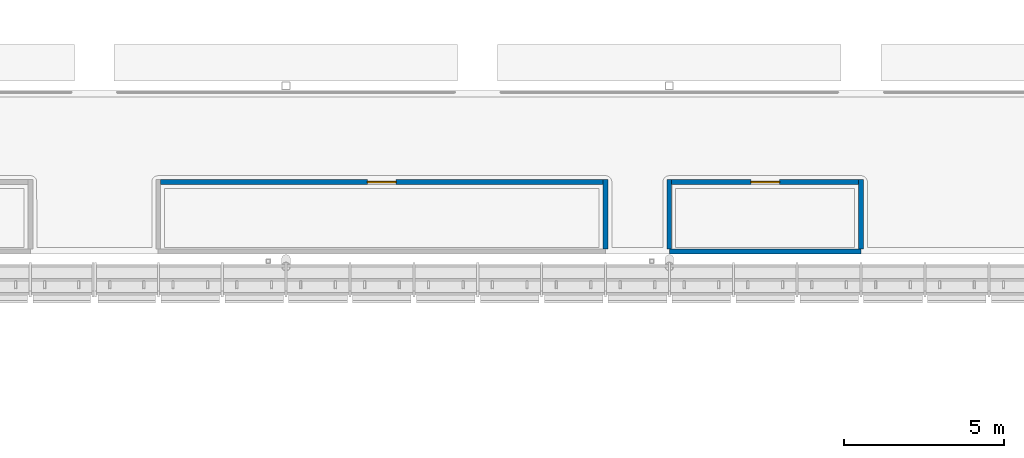
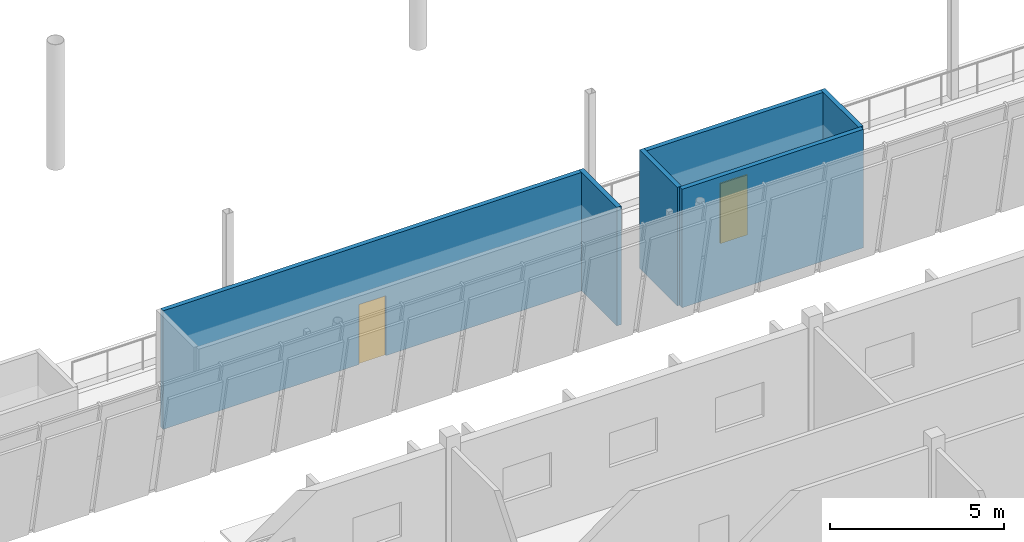
# One storey, part 69 of 115: 6 walls, 2 doors, 2 openings.
"""IFC4 building model written with IfcOpenShell, lengths in metres."""

from ifc_helpers import new_model, si_unit, direction, frame, frame_2d, origin, place, context, subcontext, project, spatial, rectangle, extrude, material, layer, layer_set, type_object, element, fill, save


model = new_model("IFC4")

# Units and contexts
model_context = context("Model", 3, precision=1e-05, world=origin(), true_north=direction((0.0, 1.0)))
body_context = subcontext(model_context, "Body", "Model", "MODEL_VIEW")
ifc_project = project(units=[si_unit("LENGTHUNIT", "METRE"), si_unit("AREAUNIT", "SQUARE_METRE"), si_unit("VOLUMEUNIT", "CUBIC_METRE"), si_unit("PLANEANGLEUNIT", "RADIAN"), si_unit("MASSUNIT", "GRAM", prefix="KILO")], contexts=[model_context])

# Site, building, storey
site_placement = place(None, origin())
site = spatial("IfcSite", under=ifc_project, at=site_placement, CompositionType="ELEMENT")
building_placement = place(site_placement, origin())
building = spatial("IfcBuilding", under=site, at=building_placement, Name="Windward Yard Aquatics Centre", CompositionType="ELEMENT")
storey_placement = place(building_placement, frame((0.0, 0.0, 5.0)))
storey = spatial("IfcBuildingStorey", under=building, at=storey_placement, Name="L01", CompositionType="ELEMENT", Elevation=5.0)

# Wall, opening, door
ifc_material_1 = material(Name="Blockwork 150 mm", Category="masonry")
ifc_layer = layer(ifc_material_1, 0.14990234375)
ifc_layer_set = layer_set([ifc_layer], Name="H Partition Blockwork 150")
wall_type = type_object("IfcWallType", Name="H Partition Blockwork 150", PredefinedType="PARTITIONING", material=ifc_layer_set)
wall_1_placement = place(storey_placement, frame((104.074951171875, 28.699951171875, 0.0), z_axis=(0.0, 0.0, 1.0), x_axis=(1.0, 0.0, 0.0)))
wall_1 = element("IfcWall", 1, at=wall_1_placement, inside=storey, type_object=wall_type, Name="L01 partition Cafe Counter", PredefinedType="PARTITIONING", context=body_context, shape_type="SweptSolid", body=[
    extrude(rectangle(XDim=13.85009765625, YDim=0.14990234375, at=frame_2d((6.925048828125, 0.0))), origin(), (0.0, 0.0, 1.0), 4.14990234375),
])
opening_1_placement = place(wall_1_placement, frame((6.47509765625, 0.0, 0.0)))
opening_1 = element("IfcOpeningElement", 2, at=opening_1_placement, cuts=wall_1, Name="Opening H1029", PredefinedType="OPENING", context=body_context, shape_type="SweptSolid", body=[
    extrude(rectangle(XDim=0.89990234375, YDim=2.10009765625, at=frame_2d((0.449951171875, 1.050048828125))), frame((0.0, 0.0849609375, 0.0), z_axis=(0.0, -1.0, 0.0), x_axis=(1.0, 0.0, 0.0)), (0.0, 0.0, 1.0), 0.169921875),
])
ifc_material_2 = material(Name="Timber door leaf", Category="wood")
door_type = type_object("IfcDoorType", Name="H Door Single 900 x 2100 Not rated", OperationType="NOTDEFINED", PredefinedType="DOOR", material=ifc_material_2)
door_1_placement = place(opening_1_placement, origin())
door_1 = element("IfcDoor", 3, at=door_1_placement, inside=storey, type_object=door_type, Name="L01 Cafe Counter door", OperationType="SINGLE_SWING_LEFT", OverallHeight=2.10009765625, OverallWidth=0.89990234375, PredefinedType="DOOR", context=body_context, shape_type="SweptSolid", body=[
    extrude(rectangle(XDim=0.89990234375, YDim=2.10009765625, at=frame_2d((0.449951171875, 1.050048828125))), frame((0.0, 0.02490234375, 0.0), z_axis=(0.0, -1.0, 0.0), x_axis=(1.0, 0.0, 0.0)), (0.0, 0.0, 1.0), 0.050048828125),
])
fill(opening_1, door_1)

# Wall
wall_2_placement = place(storey_placement, frame((118.0, 26.60009765625, 0.0), z_axis=(0.0, 0.0, 1.0), x_axis=(0.0, 1.0, 0.0)))
element("IfcWall", 4, at=wall_2_placement, inside=storey, type_object=wall_type, Name="L01 partition Cafe Counter", PredefinedType="PARTITIONING", context=body_context, shape_type="SweptSolid", body=[
    extrude(rectangle(XDim=2.1748046875, YDim=0.14990234375, at=frame_2d((1.08740234375, 0.0))), origin(), (0.0, 0.0, 1.0), 4.14990234375),
])

# Wall, opening, door
wall_3_placement = place(storey_placement, frame((120.074951171875, 28.699951171875, 0.0), z_axis=(0.0, 0.0, 1.0), x_axis=(1.0, 0.0, 0.0)))
wall_3 = element("IfcWall", 5, at=wall_3_placement, inside=storey, type_object=wall_type, Name="L01 partition Concession Store", PredefinedType="PARTITIONING", context=body_context, shape_type="SweptSolid", body=[
    extrude(rectangle(XDim=5.85009765625, YDim=0.14990234375, at=frame_2d((2.925048828125, 0.0))), origin(), (0.0, 0.0, 1.0), 4.14990234375),
])
opening_2_placement = place(wall_3_placement, frame((2.47509765625, 0.0, 0.0)))
opening_2 = element("IfcOpeningElement", 6, at=opening_2_placement, cuts=wall_3, Name="Opening H1030", PredefinedType="OPENING", context=body_context, shape_type="SweptSolid", body=[
    extrude(rectangle(XDim=0.89990234375, YDim=2.10009765625, at=frame_2d((0.449951171875, 1.050048828125))), frame((0.0, 0.0849609375, 0.0), z_axis=(0.0, -1.0, 0.0), x_axis=(1.0, 0.0, 0.0)), (0.0, 0.0, 1.0), 0.169921875),
])
door_2_placement = place(opening_2_placement, origin())
door_2 = element("IfcDoor", 7, at=door_2_placement, inside=storey, type_object=door_type, Name="L01 Concession Store door", OperationType="SINGLE_SWING_RIGHT", OverallHeight=2.10009765625, OverallWidth=0.89990234375, PredefinedType="DOOR", context=body_context, shape_type="SweptSolid", body=[
    extrude(rectangle(XDim=0.89990234375, YDim=2.10009765625, at=frame_2d((0.449951171875, 1.050048828125))), frame((0.0, 0.02490234375, 0.0), z_axis=(0.0, -1.0, 0.0), x_axis=(1.0, 0.0, 0.0)), (0.0, 0.0, 1.0), 0.050048828125),
])
fill(opening_2, door_2)

# Walls
for number, where, z_axis, x_axis, name in (
    (8, (120.0, 26.60009765625, 0.0), (0.0, 0.0, 1.0), (0.0, 1.0, 0.0), "L01 partition Concession Store"),
    (9, (126.0, 26.60009765625, 0.0), (0.0, 0.0, 1.0), (0.0, 1.0, 0.0), "L01 partition Concession Store"),
):
    element("IfcWall", number, at=place(storey_placement, frame(where, z_axis=z_axis, x_axis=x_axis)), inside=storey, type_object=wall_type, Name=name, PredefinedType="PARTITIONING", context=body_context, shape_type="SweptSolid", body=[
        extrude(rectangle(XDim=2.1748046875, YDim=0.14990234375, at=frame_2d((1.08740234375, 0.0))), origin(), (0.0, 0.0, 1.0), 4.14990234375),
    ])
wall_4_placement = place(storey_placement, frame((120.0, 26.52490234375, 0.0), z_axis=(0.0, 0.0, 1.0), x_axis=(1.0, 0.0, 0.0)))
element("IfcWall", 10, at=wall_4_placement, inside=storey, type_object=wall_type, Name="L01 wall Concession Store", PredefinedType="PARTITIONING", context=body_context, shape_type="SweptSolid", body=[
    extrude(rectangle(XDim=6.0, YDim=0.14990234375, at=frame_2d((3.0, 0.0))), origin(), (0.0, 0.0, 1.0), 4.14990234375),
])

save(model, "model.ifc")
